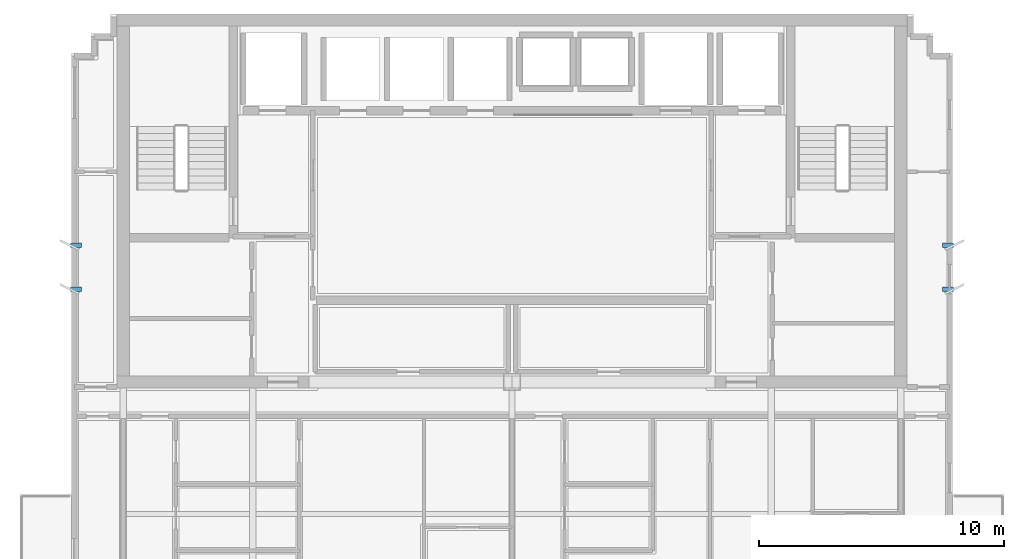
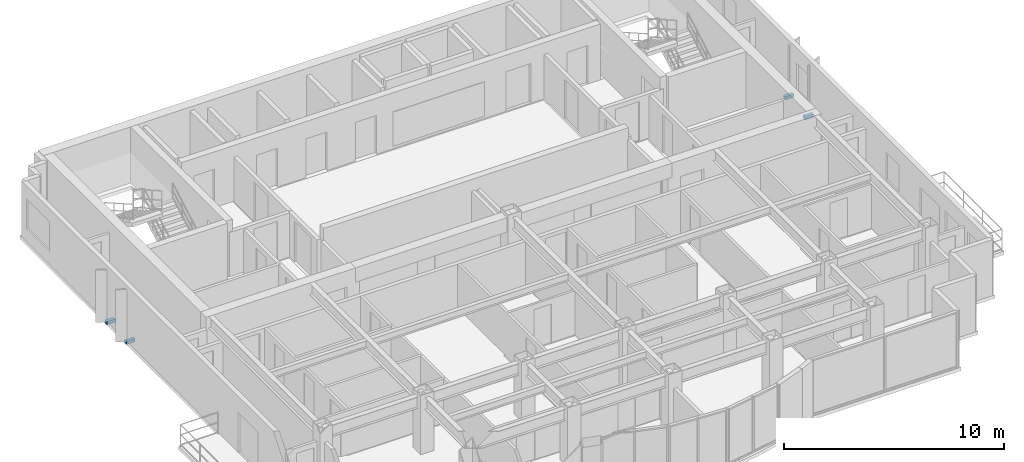
# One storey, part 7 of 9: 4 discrete accessories.
"""IFC4 building model written with IfcOpenShell, lengths in metres."""

from ifc_helpers import new_model, si_unit, direction, frame, origin, origin_2d, place, context, subcontext, project, spatial, rectangle, extrude, source, transform, mapped, material, type_object, element, save


model = new_model("IFC4")

# Units and contexts
model_context = context("Model", 3, precision=1e-05, world=origin(), true_north=direction((0.0, 1.0)))
body_context = subcontext(model_context, "Body", "Model", "MODEL_VIEW")
ifc_project = project(units=[si_unit("LENGTHUNIT", "METRE"), si_unit("AREAUNIT", "SQUARE_METRE"), si_unit("VOLUMEUNIT", "CUBIC_METRE"), si_unit("PLANEANGLEUNIT", "RADIAN"), si_unit("MASSUNIT", "GRAM", prefix="KILO")], contexts=[model_context])

# Site, building, storey
site_placement = place(None, origin())
site = spatial("IfcSite", under=ifc_project, at=site_placement, CompositionType="ELEMENT")
building_placement = place(site_placement, origin())
building = spatial("IfcBuilding", under=site, at=building_placement, Name="Qianlan Lanfeng Residences", CompositionType="ELEMENT")
storey_placement = place(building_placement, frame((0.0, 0.0, 252.800048828125)))
storey = spatial("IfcBuildingStorey", under=building, at=storey_placement, Name="L70", CompositionType="ELEMENT", Elevation=252.800048828125)

# Discrete accessories
ifc_material = material(Name="Stainless Steel Facade Bracket", Category="steel")
discrete_accessory_type = type_object("IfcDiscreteAccessoryType", Name="BRK-SS-350", PredefinedType="BRACKET", material=ifc_material)
shared_shape = source(origin(), body_context, "Body", "SweptSolid", [
    extrude(rectangle(XDim=0.449951171875, YDim=0.179931640625, at=origin_2d()), origin(), (0.0, 0.0, 1.0), 0.179931640625),
])
for number, where, z_axis, x_axis, name in (
    (1, (8.679931640625, 29.0, -0.14990234375), (0.0, 0.0, 1.0), (1.0, 0.0, 0.0), "L70 Raked Solar Fin Support Bracket W1"),
    (2, (8.679931640625, 30.800048828125, -0.14990234375), (0.0, 0.0, 1.0), (1.0, 0.0, 0.0), "L70 Raked Solar Fin Support Bracket W2"),
    (3, (44.320068359375, 29.0, -0.14990234375), (0.0, 0.0, 1.0), (1.0, 0.0, 0.0), "L70 Raked Solar Fin Support Bracket E1"),
    (4, (44.320068359375, 30.800048828125, -0.14990234375), (0.0, 0.0, 1.0), (1.0, 0.0, 0.0), "L70 Raked Solar Fin Support Bracket E2"),
):
    element("IfcDiscreteAccessory", number, at=place(storey_placement, frame(where, z_axis=z_axis, x_axis=x_axis)), inside=storey, type_object=discrete_accessory_type, Name=name, PredefinedType="BRACKET", context=body_context, shape_type="MappedRepresentation", body=[
        mapped(shared_shape, transform((0.0, 0.0, 0.0), scale=1.0)),
    ])

save(model, "model.ifc")
